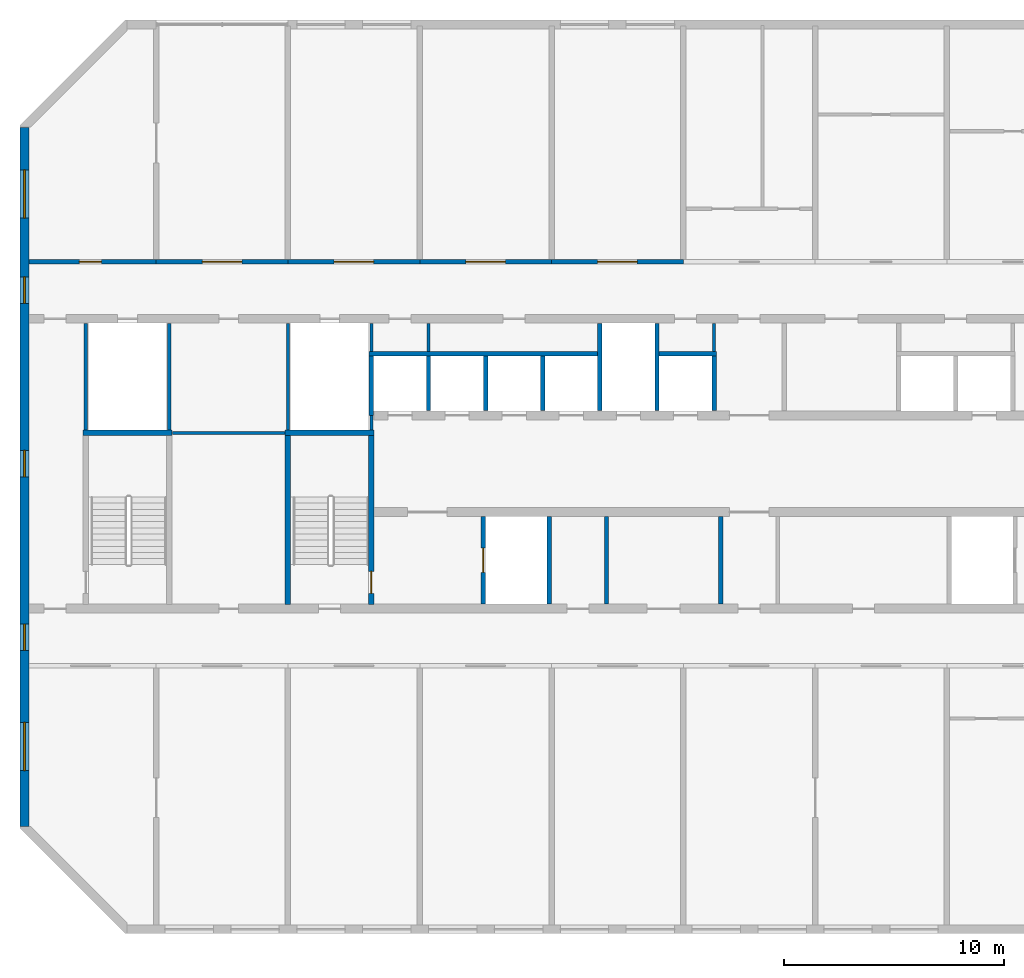
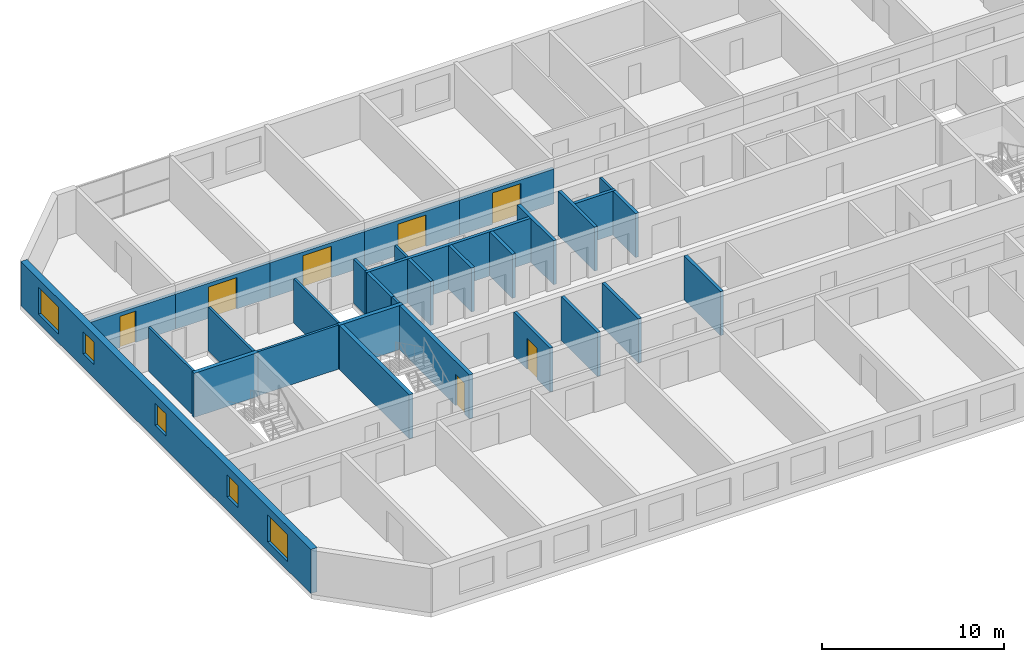
# One storey, part 5 of 13: 31 walls, 7 doors, 5 windows, 12 openings.
"""IFC4 building model written with IfcOpenShell, lengths in metres."""

from ifc_helpers import new_model, si_unit, direction, frame, frame_2d, origin, place, context, subcontext, project, spatial, rectangle, extrude, material, layer, layer_set, type_object, element, fill, save


model = new_model("IFC4")

# Units and contexts
model_context = context("Model", 3, precision=1e-05, world=origin(), true_north=direction((0.0, 1.0)))
body_context = subcontext(model_context, "Body", "Model", "MODEL_VIEW")
ifc_project = project(units=[si_unit("LENGTHUNIT", "METRE"), si_unit("AREAUNIT", "SQUARE_METRE"), si_unit("VOLUMEUNIT", "CUBIC_METRE"), si_unit("PLANEANGLEUNIT", "RADIAN"), si_unit("MASSUNIT", "GRAM", prefix="KILO")], contexts=[model_context])

# Site, building, storey
site_placement = place(None, origin())
site = spatial("IfcSite", under=ifc_project, at=site_placement, CompositionType="ELEMENT")
building_placement = place(site_placement, origin())
building = spatial("IfcBuilding", under=site, at=building_placement, Name="Poui Terraces", CompositionType="ELEMENT")
storey_placement = place(building_placement, frame((0.0, 0.0, 211.5)))
storey = spatial("IfcBuildingStorey", under=building, at=storey_placement, Name="L59", CompositionType="ELEMENT", Elevation=211.5)

# Wall
ifc_material_1 = material(Name="Fire-rated plasterboard wall")
ifc_layer_1 = layer(ifc_material_1, 0.14990234375)
ifc_layer_set_1 = layer_set([ifc_layer_1], Name="Fire-rated plasterboard wall")
wall_type_1 = type_object("IfcWallType", Name="CORRIDOR WALL 150", PredefinedType="PARTITIONING", material=ifc_layer_set_1)
wall_1_placement = place(storey_placement, frame((49.39990234375, 26.300048828125, 0.0), z_axis=(0.0, 0.0, 1.0), x_axis=(0.0, 1.0, 0.0)))
element("IfcWall", 1, at=wall_1_placement, inside=storey, type_object=wall_type_1, Name="CORRIDOR WALL 150", PredefinedType="PARTITIONING", context=body_context, shape_type="SweptSolid", body=[
    extrude(rectangle(XDim=1.2900390625, YDim=0.14990234375, at=frame_2d((0.64501953125, 0.0))), origin(), (0.0, 0.0, 1.0), 2.949951171875),
])

# Wall, opening, door
ifc_material_2 = material(Name="Concrete 50 MPa", Category="concrete")
ifc_layer_2 = layer(ifc_material_2, 0.199951171875)
ifc_layer_set_2 = layer_set([ifc_layer_2], Name="Concrete 50 MPa")
wall_type_2 = type_object("IfcWallType", Name="CORRIDOR WALL 200 50MPa", PredefinedType="SHEAR", material=ifc_layer_set_2)
wall_2_placement = place(storey_placement, frame((18.199951171875, 30.39990234375, 0.0), z_axis=(0.0, 0.0, 1.0), x_axis=(1.0, 0.0, 0.0)))
wall_2 = element("IfcWall", 2, at=wall_2_placement, inside=storey, type_object=wall_type_2, Name="CORRIDOR WALL LINE E BAY 1", PredefinedType="SHEAR", context=body_context, shape_type="SweptSolid", body=[
    extrude(rectangle(XDim=5.800048828125, YDim=0.199951171875, at=frame_2d((2.89990234375, 0.0))), origin(), (0.0, 0.0, 1.0), 2.35009765625),
])
opening_1_placement = place(wall_2_placement, frame((2.300048828125, 0.0, 0.0)))
opening_1 = element("IfcOpeningElement", 3, at=opening_1_placement, cuts=wall_2, Name="Opening D100", PredefinedType="OPENING", context=body_context, shape_type="SweptSolid", body=[
    extrude(rectangle(XDim=1.0, YDim=2.10009765625, at=frame_2d((0.5, 1.050048828125))), frame((0.0, 0.10986328125, 0.0), z_axis=(0.0, -1.0, 0.0), x_axis=(1.0, 0.0, 0.0)), (0.0, 0.0, 1.0), 0.219970703125),
])
ifc_material_3 = material(Name="Solid core timber door", Category="wood")
door_type_1 = type_object("IfcDoorType", Name="ACCESSIBLE INTERNAL DOOR 1000 X 2100", OperationType="NOTDEFINED", PredefinedType="DOOR", material=ifc_material_3)
door_1_placement = place(opening_1_placement, frame((1.0, 0.0, 0.0), z_axis=(0.0, 0.0, 1.0), x_axis=(-1.0, 0.0, 0.0)))
door_1 = element("IfcDoor", 4, at=door_1_placement, inside=storey, type_object=door_type_1, Name="ACCESSIBLE INTERNAL DOOR 002", OperationType="SINGLE_SWING_RIGHT", OverallHeight=2.10009765625, OverallWidth=1.0, PredefinedType="DOOR", context=body_context, shape_type="SweptSolid", body=[
    extrude(rectangle(XDim=1.0, YDim=2.10009765625, at=frame_2d((0.5, 1.050048828125))), frame((0.0, 0.02490234375, 0.0), z_axis=(0.0, -1.0, 0.0), x_axis=(1.0, 0.0, 0.0)), (0.0, 0.0, 1.0), 0.050048828125),
])
fill(opening_1, door_1)

wall_3_placement = place(storey_placement, frame((24.0, 30.39990234375, 0.0), z_axis=(0.0, 0.0, 1.0), x_axis=(1.0, 0.0, 0.0)))
wall_3 = element("IfcWall", 5, at=wall_3_placement, inside=storey, type_object=wall_type_2, Name="CORRIDOR WALL LINE E BAY 2", PredefinedType="SHEAR", context=body_context, shape_type="SweptSolid", body=[
    extrude(rectangle(XDim=6.0, YDim=0.199951171875, at=frame_2d((3.0, 0.0))), origin(), (0.0, 0.0, 1.0), 2.35009765625),
])
opening_2_placement = place(wall_3_placement, frame((2.10009765625, 0.0, 0.0)))
opening_2 = element("IfcOpeningElement", 6, at=opening_2_placement, cuts=wall_3, Name="Opening DD180", PredefinedType="OPENING", context=body_context, shape_type="SweptSolid", body=[
    extrude(rectangle(XDim=1.800048828125, YDim=2.10009765625, at=frame_2d((0.89990234375, 1.050048828125))), frame((0.0, 0.10986328125, 0.0), z_axis=(0.0, -1.0, 0.0), x_axis=(1.0, 0.0, 0.0)), (0.0, 0.0, 1.0), 0.219970703125),
])
ifc_material_4 = material(Name="Steel fire door", Category="steel")
door_type_2 = type_object("IfcDoorType", Name="DOUBLE INTERNAL DOOR 1800 X 2100", OperationType="DOUBLE_DOOR_SINGLE_SWING", PredefinedType="DOOR", material=ifc_material_4)
door_2_placement = place(opening_2_placement, frame((1.800048828125, 0.0, 0.0), z_axis=(0.0, 0.0, 1.0), x_axis=(-1.0, 0.0, 0.0)))
door_2 = element("IfcDoor", 7, at=door_2_placement, inside=storey, type_object=door_type_2, Name="DOUBLE INTERNAL DOOR 004", OperationType="DOUBLE_DOOR_SINGLE_SWING", OverallHeight=2.10009765625, OverallWidth=1.800048828125, PredefinedType="DOOR", context=body_context, shape_type="SweptSolid", body=[
    extrude(rectangle(XDim=1.800048828125, YDim=2.10009765625, at=frame_2d((0.89990234375, 1.050048828125))), frame((0.0, 0.02490234375, 0.0), z_axis=(0.0, -1.0, 0.0), x_axis=(1.0, 0.0, 0.0)), (0.0, 0.0, 1.0), 0.050048828125),
])
fill(opening_2, door_2)

wall_4_placement = place(storey_placement, frame((30.0, 30.39990234375, 0.0), z_axis=(0.0, 0.0, 1.0), x_axis=(1.0, 0.0, 0.0)))
wall_4 = element("IfcWall", 8, at=wall_4_placement, inside=storey, type_object=wall_type_2, Name="CORRIDOR WALL LINE E BAY 3", PredefinedType="SHEAR", context=body_context, shape_type="SweptSolid", body=[
    extrude(rectangle(XDim=6.0, YDim=0.199951171875, at=frame_2d((3.0, 0.0))), origin(), (0.0, 0.0, 1.0), 2.35009765625),
])
opening_3_placement = place(wall_4_placement, frame((2.10009765625, 0.0, 0.0)))
opening_3 = element("IfcOpeningElement", 9, at=opening_3_placement, cuts=wall_4, Name="Opening DD180", PredefinedType="OPENING", context=body_context, shape_type="SweptSolid", body=[
    extrude(rectangle(XDim=1.800048828125, YDim=2.10009765625, at=frame_2d((0.89990234375, 1.050048828125))), frame((0.0, 0.10986328125, 0.0), z_axis=(0.0, -1.0, 0.0), x_axis=(1.0, 0.0, 0.0)), (0.0, 0.0, 1.0), 0.219970703125),
])
door_3_placement = place(opening_3_placement, frame((1.800048828125, 0.0, 0.0), z_axis=(0.0, 0.0, 1.0), x_axis=(-1.0, 0.0, 0.0)))
door_3 = element("IfcDoor", 10, at=door_3_placement, inside=storey, type_object=door_type_2, Name="DOUBLE INTERNAL DOOR 007", OperationType="DOUBLE_DOOR_SINGLE_SWING", OverallHeight=2.10009765625, OverallWidth=1.800048828125, PredefinedType="DOOR", context=body_context, shape_type="SweptSolid", body=[
    extrude(rectangle(XDim=1.800048828125, YDim=2.10009765625, at=frame_2d((0.89990234375, 1.050048828125))), frame((0.0, 0.02490234375, 0.0), z_axis=(0.0, -1.0, 0.0), x_axis=(1.0, 0.0, 0.0)), (0.0, 0.0, 1.0), 0.050048828125),
])
fill(opening_3, door_3)

wall_5_placement = place(storey_placement, frame((36.0, 30.39990234375, 0.0), z_axis=(0.0, 0.0, 1.0), x_axis=(1.0, 0.0, 0.0)))
wall_5 = element("IfcWall", 11, at=wall_5_placement, inside=storey, type_object=wall_type_2, Name="CORRIDOR WALL LINE E BAY 4", PredefinedType="SHEAR", context=body_context, shape_type="SweptSolid", body=[
    extrude(rectangle(XDim=6.0, YDim=0.199951171875, at=frame_2d((3.0, 0.0))), origin(), (0.0, 0.0, 1.0), 2.35009765625),
])
opening_4_placement = place(wall_5_placement, frame((2.10009765625, 0.0, 0.0)))
opening_4 = element("IfcOpeningElement", 12, at=opening_4_placement, cuts=wall_5, Name="Opening DD180", PredefinedType="OPENING", context=body_context, shape_type="SweptSolid", body=[
    extrude(rectangle(XDim=1.800048828125, YDim=2.10009765625, at=frame_2d((0.89990234375, 1.050048828125))), frame((0.0, 0.10986328125, 0.0), z_axis=(0.0, -1.0, 0.0), x_axis=(1.0, 0.0, 0.0)), (0.0, 0.0, 1.0), 0.219970703125),
])
door_4_placement = place(opening_4_placement, frame((1.800048828125, 0.0, 0.0), z_axis=(0.0, 0.0, 1.0), x_axis=(-1.0, 0.0, 0.0)))
door_4 = element("IfcDoor", 13, at=door_4_placement, inside=storey, type_object=door_type_2, Name="DOUBLE INTERNAL DOOR 009", OperationType="DOUBLE_DOOR_SINGLE_SWING", OverallHeight=2.10009765625, OverallWidth=1.800048828125, PredefinedType="DOOR", context=body_context, shape_type="SweptSolid", body=[
    extrude(rectangle(XDim=1.800048828125, YDim=2.10009765625, at=frame_2d((0.89990234375, 1.050048828125))), frame((0.0, 0.02490234375, 0.0), z_axis=(0.0, -1.0, 0.0), x_axis=(1.0, 0.0, 0.0)), (0.0, 0.0, 1.0), 0.050048828125),
])
fill(opening_4, door_4)

wall_6_placement = place(storey_placement, frame((42.0, 30.39990234375, 0.0), z_axis=(0.0, 0.0, 1.0), x_axis=(1.0, 0.0, 0.0)))
wall_6 = element("IfcWall", 14, at=wall_6_placement, inside=storey, type_object=wall_type_2, Name="CORRIDOR WALL LINE E BAY 5", PredefinedType="SHEAR", context=body_context, shape_type="SweptSolid", body=[
    extrude(rectangle(XDim=6.0, YDim=0.199951171875, at=frame_2d((3.0, 0.0))), origin(), (0.0, 0.0, 1.0), 2.35009765625),
])
opening_5_placement = place(wall_6_placement, frame((2.10009765625, 0.0, 0.0)))
opening_5 = element("IfcOpeningElement", 15, at=opening_5_placement, cuts=wall_6, Name="Opening DD180", PredefinedType="OPENING", context=body_context, shape_type="SweptSolid", body=[
    extrude(rectangle(XDim=1.800048828125, YDim=2.10009765625, at=frame_2d((0.89990234375, 1.050048828125))), frame((0.0, 0.10986328125, 0.0), z_axis=(0.0, -1.0, 0.0), x_axis=(1.0, 0.0, 0.0)), (0.0, 0.0, 1.0), 0.219970703125),
])
door_5_placement = place(opening_5_placement, frame((1.800048828125, 0.0, 0.0), z_axis=(0.0, 0.0, 1.0), x_axis=(-1.0, 0.0, 0.0)))
door_5 = element("IfcDoor", 16, at=door_5_placement, inside=storey, type_object=door_type_2, Name="DOUBLE INTERNAL DOOR 011", OperationType="DOUBLE_DOOR_SINGLE_SWING", OverallHeight=2.10009765625, OverallWidth=1.800048828125, PredefinedType="DOOR", context=body_context, shape_type="SweptSolid", body=[
    extrude(rectangle(XDim=1.800048828125, YDim=2.10009765625, at=frame_2d((0.89990234375, 1.050048828125))), frame((0.0, 0.02490234375, 0.0), z_axis=(0.0, -1.0, 0.0), x_axis=(1.0, 0.0, 0.0)), (0.0, 0.0, 1.0), 0.050048828125),
])
fill(opening_5, door_5)

# Wall, openings, windows
ifc_layer_3 = layer(ifc_material_2, 0.39990234375)
ifc_layer_set_3 = layer_set([ifc_layer_3], Name="Concrete 50 MPa")
wall_type_3 = type_object("IfcWallType", Name="END WALL 400 50MPa", PredefinedType="SHEAR", material=ifc_layer_set_3)
wall_7_placement = place(storey_placement, frame((18.0, 4.682861328125, 0.0), z_axis=(0.0, 0.0, 1.0), x_axis=(0.0, 1.0, 0.0)))
wall_7 = element("IfcWall", 17, at=wall_7_placement, inside=storey, type_object=wall_type_3, Name="END WALL WEST", PredefinedType="SHEAR", context=body_context, shape_type="SweptSolid", body=[
    extrude(rectangle(XDim=31.834228515625, YDim=0.39990234375, at=frame_2d((15.9169921875, 0.0))), origin(), (0.0, 0.0, 1.0), 2.949951171875),
])
opening_6_placement = place(wall_7_placement, frame((23.817138671875, 0.0, 0.89990234375)))
opening_6 = element("IfcOpeningElement", 18, at=opening_6_placement, cuts=wall_7, Name="Opening W2", PredefinedType="OPENING", context=body_context, shape_type="SweptSolid", body=[
    extrude(rectangle(XDim=1.199951171875, YDim=1.5, at=frame_2d((0.60009765625, 0.75))), frame((0.0, 0.2099609375, 0.0), z_axis=(0.0, -1.0, 0.0), x_axis=(1.0, 0.0, 0.0)), (0.0, 0.0, 1.0), 0.419921875),
])
opening_7_placement = place(wall_7_placement, frame((8.01708984375, 0.0, 0.89990234375)))
opening_7 = element("IfcOpeningElement", 19, at=opening_7_placement, cuts=wall_7, Name="Opening W2", PredefinedType="OPENING", context=body_context, shape_type="SweptSolid", body=[
    extrude(rectangle(XDim=1.199951171875, YDim=1.5, at=frame_2d((0.60009765625, 0.75))), frame((0.0, 0.2099609375, 0.0), z_axis=(0.0, -1.0, 0.0), x_axis=(1.0, 0.0, 0.0)), (0.0, 0.0, 1.0), 0.419921875),
])
opening_8_placement = place(wall_7_placement, frame((27.693603515625, 0.0, 0.60009765625)))
opening_8 = element("IfcOpeningElement", 20, at=opening_8_placement, cuts=wall_7, Name="Opening W3", PredefinedType="OPENING", context=body_context, shape_type="SweptSolid", body=[
    extrude(rectangle(XDim=2.199951171875, YDim=1.800048828125, at=frame_2d((1.10009765625, 0.89990234375))), frame((0.0, 0.2099609375, 0.0), z_axis=(0.0, -1.0, 0.0), x_axis=(1.0, 0.0, 0.0)), (0.0, 0.0, 1.0), 0.419921875),
])
opening_9_placement = place(wall_7_placement, frame((2.541015625, 0.0, 0.60009765625)))
opening_9 = element("IfcOpeningElement", 21, at=opening_9_placement, cuts=wall_7, Name="Opening W3", PredefinedType="OPENING", context=body_context, shape_type="SweptSolid", body=[
    extrude(rectangle(XDim=2.199951171875, YDim=1.800048828125, at=frame_2d((1.10009765625, 0.89990234375))), frame((0.0, 0.2099609375, 0.0), z_axis=(0.0, -1.0, 0.0), x_axis=(1.0, 0.0, 0.0)), (0.0, 0.0, 1.0), 0.419921875),
])
opening_10_placement = place(wall_7_placement, frame((15.917236328125, 0.0, 0.89990234375)))
opening_10 = element("IfcOpeningElement", 22, at=opening_10_placement, cuts=wall_7, Name="Opening W2", PredefinedType="OPENING", context=body_context, shape_type="SweptSolid", body=[
    extrude(rectangle(XDim=1.199951171875, YDim=1.5, at=frame_2d((0.60009765625, 0.75))), frame((0.0, 0.2099609375, 0.0), z_axis=(0.0, -1.0, 0.0), x_axis=(1.0, 0.0, 0.0)), (0.0, 0.0, 1.0), 0.419921875),
])
ifc_material_5 = material(Name="Clear glass in aluminium frame", Category="aluminium")
window_type_1 = type_object("IfcWindowType", Name="WINDOW 1200X1500", PartitioningType="SINGLE_PANEL", PredefinedType="WINDOW", material=ifc_material_5)
window_1_placement = place(opening_6_placement, origin())
window_1 = element("IfcWindow", 23, at=window_1_placement, inside=storey, type_object=window_type_1, Name="W2 WINDOW", OverallHeight=1.5, OverallWidth=1.199951171875, PartitioningType="SINGLE_PANEL", PredefinedType="WINDOW", context=body_context, shape_type="SweptSolid", body=[
    extrude(rectangle(XDim=1.199951171875, YDim=1.5, at=frame_2d((0.60009765625, 0.75))), frame((0.0, 0.030029296875, 0.0), z_axis=(0.0, -1.0, 0.0), x_axis=(1.0, 0.0, 0.0)), (0.0, 0.0, 1.0), 0.06005859375),
])
fill(opening_6, window_1)
window_2_placement = place(opening_7_placement, origin())
window_2 = element("IfcWindow", 24, at=window_2_placement, inside=storey, type_object=window_type_1, Name="W2 WINDOW", OverallHeight=1.5, OverallWidth=1.199951171875, PartitioningType="SINGLE_PANEL", PredefinedType="WINDOW", context=body_context, shape_type="SweptSolid", body=[
    extrude(rectangle(XDim=1.199951171875, YDim=1.5, at=frame_2d((0.60009765625, 0.75))), frame((0.0, 0.030029296875, 0.0), z_axis=(0.0, -1.0, 0.0), x_axis=(1.0, 0.0, 0.0)), (0.0, 0.0, 1.0), 0.06005859375),
])
fill(opening_7, window_2)
window_3_placement = place(opening_10_placement, origin())
window_3 = element("IfcWindow", 25, at=window_3_placement, inside=storey, type_object=window_type_1, Name="W2 WINDOW", OverallHeight=1.5, OverallWidth=1.199951171875, PartitioningType="SINGLE_PANEL", PredefinedType="WINDOW", context=body_context, shape_type="SweptSolid", body=[
    extrude(rectangle(XDim=1.199951171875, YDim=1.5, at=frame_2d((0.60009765625, 0.75))), frame((0.0, 0.030029296875, 0.0), z_axis=(0.0, -1.0, 0.0), x_axis=(1.0, 0.0, 0.0)), (0.0, 0.0, 1.0), 0.06005859375),
])
fill(opening_10, window_3)
window_type_2 = type_object("IfcWindowType", Name="WINDOW 2200X1800", PartitioningType="DOUBLE_PANEL_HORIZONTAL", PredefinedType="WINDOW", material=ifc_material_5)
window_4_placement = place(opening_8_placement, origin())
window_4 = element("IfcWindow", 26, at=window_4_placement, inside=storey, type_object=window_type_2, Name="W3 WINDOW", OverallHeight=1.800048828125, OverallWidth=2.199951171875, PartitioningType="DOUBLE_PANEL_HORIZONTAL", PredefinedType="WINDOW", context=body_context, shape_type="SweptSolid", body=[
    extrude(rectangle(XDim=2.199951171875, YDim=1.800048828125, at=frame_2d((1.10009765625, 0.89990234375))), frame((0.0, 0.030029296875, 0.0), z_axis=(0.0, -1.0, 0.0), x_axis=(1.0, 0.0, 0.0)), (0.0, 0.0, 1.0), 0.06005859375),
])
fill(opening_8, window_4)
window_5_placement = place(opening_9_placement, origin())
window_5 = element("IfcWindow", 27, at=window_5_placement, inside=storey, type_object=window_type_2, Name="W3 WINDOW", OverallHeight=1.800048828125, OverallWidth=2.199951171875, PartitioningType="DOUBLE_PANEL_HORIZONTAL", PredefinedType="WINDOW", context=body_context, shape_type="SweptSolid", body=[
    extrude(rectangle(XDim=2.199951171875, YDim=1.800048828125, at=frame_2d((1.10009765625, 0.89990234375))), frame((0.0, 0.030029296875, 0.0), z_axis=(0.0, -1.0, 0.0), x_axis=(1.0, 0.0, 0.0)), (0.0, 0.0, 1.0), 0.06005859375),
])
fill(opening_9, window_5)

# Walls
ifc_material_6 = material(Name="Plasterboard partition")
ifc_layer_4 = layer(ifc_material_6, 0.14990234375)
ifc_layer_set_4 = layer_set([ifc_layer_4], Name="Plasterboard partition")
wall_type_4 = type_object("IfcWallType", Name="PARTITION WALL 150", PredefinedType="PARTITIONING", material=ifc_layer_set_4)
wall_8_placement = place(storey_placement, frame((24.735107421875, 22.60009765625, 0.0), z_axis=(0.0, 0.0, 1.0), x_axis=(1.0, 0.0, 0.0)))
element("IfcWall", 28, at=wall_8_placement, inside=storey, type_object=wall_type_4, Name="PARTITION WALL 150", PredefinedType="PARTITIONING", context=body_context, shape_type="SweptSolid", body=[
    extrude(rectangle(XDim=5.1298828125, YDim=0.14990234375, at=frame_2d((2.56494140625, 0.0))), origin(), (0.0, 0.0, 1.0), 2.949951171875),
])
wall_9_placement = place(storey_placement, frame((36.39990234375, 26.300048828125, 0.0), z_axis=(0.0, 0.0, 1.0), x_axis=(0.0, 1.0, 0.0)))
element("IfcWall", 29, at=wall_9_placement, inside=storey, type_object=wall_type_4, Name="PARTITION WALL 150", PredefinedType="PARTITIONING", context=body_context, shape_type="SweptSolid", body=[
    extrude(rectangle(XDim=1.2900390625, YDim=0.14990234375, at=frame_2d((0.64501953125, 0.0))), origin(), (0.0, 0.0, 1.0), 2.949951171875),
])
ifc_material_7 = material(Name="Fire-rated masonry wall", Category="masonry")
ifc_layer_5 = layer(ifc_material_7, 0.199951171875)
ifc_layer_set_5 = layer_set([ifc_layer_5], Name="Fire-rated masonry wall")
wall_type_5 = type_object("IfcWallType", Name="PLANT ROOM WALL 200", PredefinedType="PARTITIONING", material=ifc_layer_set_5)
for number, where, z_axis, x_axis, name in (
    (30, (44.5, 14.81005859375, 0.0), (0.0, 0.0, 1.0), (0.0, 1.0, 0.0), "PLANT ROOM WALL 200"),
    (31, (49.699951171875, 14.81005859375, 0.0), (0.0, 0.0, 1.0), (0.0, 1.0, 0.0), "PLANT ROOM WALL 200"),
):
    element("IfcWall", number, at=place(storey_placement, frame(where, z_axis=z_axis, x_axis=x_axis)), inside=storey, type_object=wall_type_5, Name=name, PredefinedType="PARTITIONING", context=body_context, shape_type="SweptSolid", body=[
        extrude(rectangle(XDim=3.97998046875, YDim=0.199951171875, at=frame_2d((1.989990234375, 0.0))), origin(), (0.0, 0.0, 1.0), 2.949951171875),
    ])
ifc_material_8 = material(Name="Fire-rated plasterboard riser wall")
ifc_layer_6 = layer(ifc_material_8, 0.14990234375)
ifc_layer_set_6 = layer_set([ifc_layer_6], Name="Fire-rated plasterboard riser wall")
wall_type_6 = type_object("IfcWallType", Name="RISER WALL 150", PredefinedType="PARTITIONING", material=ifc_layer_set_6)
for number, where, z_axis, x_axis, name in (
    (32, (20.800048828125, 22.735107421875, 0.0), (0.0, 0.0, 1.0), (0.0, 1.0, 0.0), "RISER WALL 150"),
    (33, (24.60009765625, 22.735107421875, 0.0), (0.0, 0.0, 1.0), (0.0, 1.0, 0.0), "RISER WALL 150"),
    (34, (30.0, 22.735107421875, 0.0), (0.0, 0.0, 1.0), (0.0, 1.0, 0.0), "RISER WALL 150"),
):
    element("IfcWall", number, at=place(storey_placement, frame(where, z_axis=z_axis, x_axis=x_axis)), inside=storey, type_object=wall_type_6, Name=name, PredefinedType="PARTITIONING", context=body_context, shape_type="SweptSolid", body=[
        extrude(rectangle(XDim=4.85498046875, YDim=0.14990234375, at=frame_2d((2.427490234375, 0.0))), origin(), (0.0, 0.0, 1.0), 2.949951171875),
    ])
wall_10_placement = place(storey_placement, frame((33.800048828125, 22.735107421875, 0.0), z_axis=(0.0, 0.0, 1.0), x_axis=(0.0, 1.0, 0.0)))
element("IfcWall", 35, at=wall_10_placement, inside=storey, type_object=wall_type_6, Name="RISER WALL 150", PredefinedType="PARTITIONING", context=body_context, shape_type="SweptSolid", body=[
    extrude(rectangle(XDim=0.664794921875, YDim=0.14990234375, at=frame_2d((0.33251953125, 0.0))), origin(), (0.0, 0.0, 1.0), 2.949951171875),
])
wall_11_placement = place(storey_placement, frame((33.800048828125, 26.300048828125, 0.0), z_axis=(0.0, 0.0, 1.0), x_axis=(0.0, 1.0, 0.0)))
element("IfcWall", 36, at=wall_11_placement, inside=storey, type_object=wall_type_6, Name="RISER WALL 150", PredefinedType="PARTITIONING", context=body_context, shape_type="SweptSolid", body=[
    extrude(rectangle(XDim=1.2900390625, YDim=0.14990234375, at=frame_2d((0.64501953125, 0.0))), origin(), (0.0, 0.0, 1.0), 2.949951171875),
])
ifc_material_9 = material(Name="Fire-rated masonry shaft wall", Category="masonry")
ifc_layer_7 = layer(ifc_material_9, 0.199951171875)
ifc_layer_set_7 = layer_set([ifc_layer_7], Name="Fire-rated masonry shaft wall")
wall_type_7 = type_object("IfcWallType", Name="SHAFT WALL 200", PredefinedType="PARTITIONING", material=ifc_layer_set_7)
wall_12_placement = place(storey_placement, frame((33.699951171875, 26.199951171875, 0.0), z_axis=(0.0, 0.0, 1.0), x_axis=(1.0, 0.0, 0.0)))
element("IfcWall", 37, at=wall_12_placement, inside=storey, type_object=wall_type_7, Name="SHAFT WALL 200", PredefinedType="PARTITIONING", context=body_context, shape_type="SweptSolid", body=[
    extrude(rectangle(XDim=10.400146484375, YDim=0.199951171875, at=frame_2d((5.2001953125, 0.0))), origin(), (0.0, 0.0, 1.0), 2.949951171875),
])
wall_13_placement = place(storey_placement, frame((46.89990234375, 26.199951171875, 0.0), z_axis=(0.0, 0.0, 1.0), x_axis=(1.0, 0.0, 0.0)))
element("IfcWall", 38, at=wall_13_placement, inside=storey, type_object=wall_type_7, Name="SHAFT WALL 200", PredefinedType="PARTITIONING", context=body_context, shape_type="SweptSolid", body=[
    extrude(rectangle(XDim=2.60009765625, YDim=0.199951171875, at=frame_2d((1.300048828125, 0.0))), origin(), (0.0, 0.0, 1.0), 2.949951171875),
])
wall_14_placement = place(storey_placement, frame((33.800048828125, 23.39990234375, 0.0), z_axis=(0.0, 0.0, 1.0), x_axis=(0.0, 1.0, 0.0)))
element("IfcWall", 39, at=wall_14_placement, inside=storey, type_object=wall_type_7, Name="SHAFT WALL 200", PredefinedType="PARTITIONING", context=body_context, shape_type="SweptSolid", body=[
    extrude(rectangle(XDim=2.7001953125, YDim=0.199951171875, at=frame_2d((1.35009765625, 0.0))), origin(), (0.0, 0.0, 1.0), 2.949951171875),
])
wall_15_placement = place(storey_placement, frame((36.39990234375, 23.610107421875, 0.0), z_axis=(0.0, 0.0, 1.0), x_axis=(0.0, 1.0, 0.0)))
element("IfcWall", 40, at=wall_15_placement, inside=storey, type_object=wall_type_7, Name="SHAFT WALL 200", PredefinedType="PARTITIONING", context=body_context, shape_type="SweptSolid", body=[
    extrude(rectangle(XDim=2.489990234375, YDim=0.199951171875, at=frame_2d((1.2451171875, 0.0))), origin(), (0.0, 0.0, 1.0), 2.949951171875),
])

# Wall, opening, door
wall_16_placement = place(storey_placement, frame((38.89990234375, 14.81005859375, 0.0), z_axis=(0.0, 0.0, 1.0), x_axis=(0.0, 1.0, 0.0)))
wall_16 = element("IfcWall", 41, at=wall_16_placement, inside=storey, type_object=wall_type_7, Name="SHAFT WALL 200", PredefinedType="PARTITIONING", context=body_context, shape_type="SweptSolid", body=[
    extrude(rectangle(XDim=3.97998046875, YDim=0.199951171875, at=frame_2d((1.989990234375, 0.0))), origin(), (0.0, 0.0, 1.0), 2.949951171875),
])
opening_11_placement = place(wall_16_placement, frame((1.43994140625, 0.0, 0.0)))
opening_11 = element("IfcOpeningElement", 42, at=opening_11_placement, cuts=wall_16, Name="Opening LD", PredefinedType="OPENING", context=body_context, shape_type="SweptSolid", body=[
    extrude(rectangle(XDim=1.10009765625, YDim=2.10009765625, at=frame_2d((0.550048828125, 1.050048828125))), frame((0.0, 0.10986328125, 0.0), z_axis=(0.0, -1.0, 0.0), x_axis=(1.0, 0.0, 0.0)), (0.0, 0.0, 1.0), 0.219970703125),
])
ifc_material_10 = material(Name="Stainless steel sliding door", Category="steel")
door_type_3 = type_object("IfcDoorType", Name="LIFT LANDING DOOR 1100 X 2100", OperationType="DOUBLE_DOOR_SLIDING", PredefinedType="DOOR", material=ifc_material_10)
door_6_placement = place(opening_11_placement, origin())
door_6 = element("IfcDoor", 43, at=door_6_placement, inside=storey, type_object=door_type_3, Name="LANDING DOOR", OperationType="DOUBLE_DOOR_SLIDING", OverallHeight=2.10009765625, OverallWidth=1.10009765625, PredefinedType="DOOR", context=body_context, shape_type="SweptSolid", body=[
    extrude(rectangle(XDim=1.10009765625, YDim=2.10009765625, at=frame_2d((0.550048828125, 1.050048828125))), frame((0.0, 0.02490234375, 0.0), z_axis=(0.0, -1.0, 0.0), x_axis=(1.0, 0.0, 0.0)), (0.0, 0.0, 1.0), 0.050048828125),
])
fill(opening_11, door_6)

# Walls
for number, where, z_axis, x_axis, name in (
    (44, (39.0, 23.610107421875, 0.0), (0.0, 0.0, 1.0), (0.0, 1.0, 0.0), "SHAFT WALL 200"),
    (45, (41.60009765625, 23.610107421875, 0.0), (0.0, 0.0, 1.0), (0.0, 1.0, 0.0), "SHAFT WALL 200"),
):
    element("IfcWall", number, at=place(storey_placement, frame(where, z_axis=z_axis, x_axis=x_axis)), inside=storey, type_object=wall_type_7, Name=name, PredefinedType="PARTITIONING", context=body_context, shape_type="SweptSolid", body=[
        extrude(rectangle(XDim=2.489990234375, YDim=0.199951171875, at=frame_2d((1.2451171875, 0.0))), origin(), (0.0, 0.0, 1.0), 2.949951171875),
    ])
for number, where, z_axis, x_axis, name in (
    (46, (41.89990234375, 14.81005859375, 0.0), (0.0, 0.0, 1.0), (0.0, 1.0, 0.0), "SHAFT WALL 200"),
    (47, (44.199951171875, 23.610107421875, 0.0), (0.0, 0.0, 1.0), (0.0, 1.0, 0.0), "SHAFT WALL 200"),
    (48, (46.800048828125, 23.610107421875, 0.0), (0.0, 0.0, 1.0), (0.0, 1.0, 0.0), "SHAFT WALL 200"),
):
    element("IfcWall", number, at=place(storey_placement, frame(where, z_axis=z_axis, x_axis=x_axis)), inside=storey, type_object=wall_type_7, Name=name, PredefinedType="PARTITIONING", context=body_context, shape_type="SweptSolid", body=[
        extrude(rectangle(XDim=3.97998046875, YDim=0.199951171875, at=frame_2d((1.989990234375, 0.0))), origin(), (0.0, 0.0, 1.0), 2.949951171875),
    ])
wall_17_placement = place(storey_placement, frame((49.39990234375, 23.610107421875, 0.0), z_axis=(0.0, 0.0, 1.0), x_axis=(0.0, 1.0, 0.0)))
element("IfcWall", 49, at=wall_17_placement, inside=storey, type_object=wall_type_7, Name="SHAFT WALL 200", PredefinedType="PARTITIONING", context=body_context, shape_type="SweptSolid", body=[
    extrude(rectangle(XDim=2.489990234375, YDim=0.199951171875, at=frame_2d((1.2451171875, 0.0))), origin(), (0.0, 0.0, 1.0), 2.949951171875),
])
ifc_layer_8 = layer(ifc_material_2, 0.25)
ifc_layer_set_8 = layer_set([ifc_layer_8], Name="Concrete 50 MPa")
wall_type_8 = type_object("IfcWallType", Name="STAIR CORE WALL 250 50 MPA", PredefinedType="SOLIDWALL", material=ifc_layer_set_8)
wall_18_placement = place(storey_placement, frame((30.0, 14.800048828125, 0.0), z_axis=(0.0, 0.0, 1.0), x_axis=(0.0, 1.0, 0.0)))
element("IfcWall", 50, at=wall_18_placement, inside=storey, type_object=wall_type_8, Name="STAIR CORE WALL", PredefinedType="SOLIDWALL", context=body_context, shape_type="SweptSolid", body=[
    extrude(rectangle(XDim=7.675048828125, YDim=0.25, at=frame_2d((3.83740234375, 0.0))), origin(), (0.0, 0.0, 1.0), 2.949951171875),
])

# Wall, opening, door
wall_19_placement = place(storey_placement, frame((33.800048828125, 14.800048828125, 0.0), z_axis=(0.0, 0.0, 1.0), x_axis=(0.0, 1.0, 0.0)))
wall_19 = element("IfcWall", 51, at=wall_19_placement, inside=storey, type_object=wall_type_8, Name="STAIR CORE WALL", PredefinedType="SOLIDWALL", context=body_context, shape_type="SweptSolid", body=[
    extrude(rectangle(XDim=7.675048828125, YDim=0.25, at=frame_2d((3.83740234375, 0.0))), origin(), (0.0, 0.0, 1.0), 2.949951171875),
])
opening_12_placement = place(wall_19_placement, frame((0.5, 0.0, 0.0)))
opening_12 = element("IfcOpeningElement", 52, at=opening_12_placement, cuts=wall_19, Name="Opening FD60S", PredefinedType="OPENING", context=body_context, shape_type="SweptSolid", body=[
    extrude(rectangle(XDim=1.0, YDim=2.10009765625, at=frame_2d((0.5, 1.050048828125))), frame((0.0, 0.135009765625, 0.0), z_axis=(0.0, -1.0, 0.0), x_axis=(1.0, 0.0, 0.0)), (0.0, 0.0, 1.0), 0.27001953125),
])
door_type_4 = type_object("IfcDoorType", Name="STAIR DOOR 1000 X 2100", OperationType="NOTDEFINED", PredefinedType="DOOR", material=ifc_material_4)
door_7_placement = place(opening_12_placement, origin())
door_7 = element("IfcDoor", 53, at=door_7_placement, inside=storey, type_object=door_type_4, Name="STAIR DOOR 062", OperationType="SINGLE_SWING_LEFT", OverallHeight=2.10009765625, OverallWidth=1.0, PredefinedType="DOOR", context=body_context, shape_type="SweptSolid", body=[
    extrude(rectangle(XDim=1.0, YDim=2.10009765625, at=frame_2d((0.5, 1.050048828125))), frame((0.0, 0.02490234375, 0.0), z_axis=(0.0, -1.0, 0.0), x_axis=(1.0, 0.0, 0.0)), (0.0, 0.0, 1.0), 0.050048828125),
])
fill(opening_12, door_7)

# Walls
for number, where, z_axis, x_axis, name in (
    (54, (29.875, 22.60009765625, 0.0), (0.0, 0.0, 1.0), (1.0, 0.0, 0.0), "STAIR CORE WALL"),
    (55, (20.675048828125, 22.60009765625, 0.0), (0.0, 0.0, 1.0), (1.0, 0.0, 0.0), "STAIR CORE WALL"),
):
    element("IfcWall", number, at=place(storey_placement, frame(where, z_axis=z_axis, x_axis=x_axis)), inside=storey, type_object=wall_type_8, Name=name, PredefinedType="SOLIDWALL", context=body_context, shape_type="SweptSolid", body=[
        extrude(rectangle(XDim=4.050048828125, YDim=0.25, at=frame_2d((2.02490234375, 0.0))), origin(), (0.0, 0.0, 1.0), 2.949951171875),
    ])

save(model, "model.ifc")
